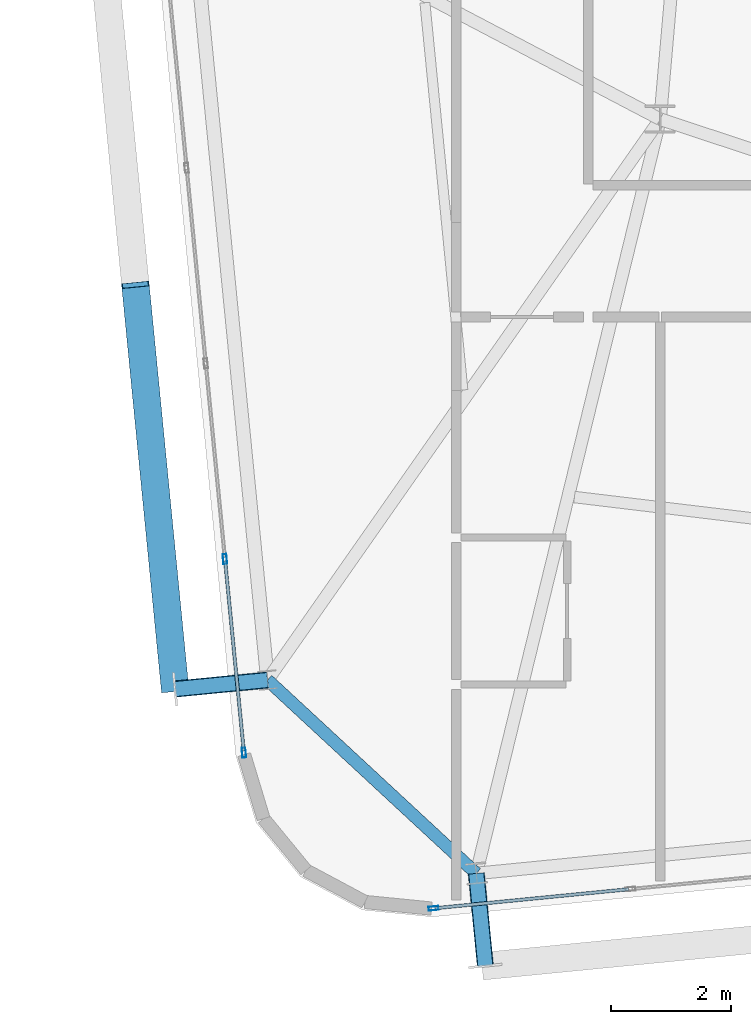
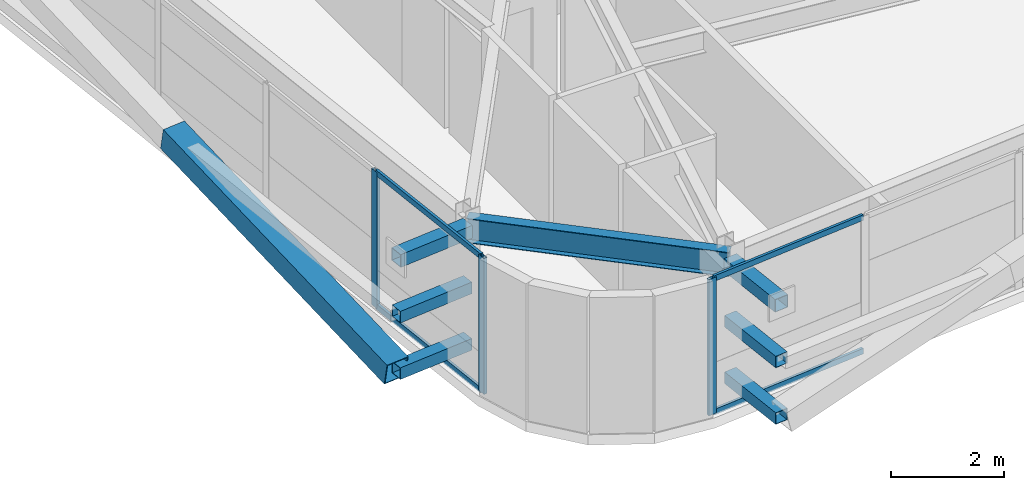
# One storey, part 5 of 52: 14 members, 1 beam, 2 elements without a shape of their own.
"""IFC4 building model written with IfcOpenShell, lengths in metres."""

from ifc_helpers import new_model, si_unit, direction, frame, origin, origin_2d, place, context, subcontext, project, spatial, hollow_rectangle, i_section, extrude, source, transform, mapped, material, layer, layer_set, material_profile, profile_set, type_object, element, aggregate, save


model = new_model("IFC4")

# Units and contexts
model_context = context("Model", 3, precision=1e-05, world=origin(), true_north=direction((0.0, 1.0)))
body_context = subcontext(model_context, "Body", "Model", "MODEL_VIEW")
ifc_project = project(units=[si_unit("LENGTHUNIT", "METRE"), si_unit("AREAUNIT", "SQUARE_METRE"), si_unit("VOLUMEUNIT", "CUBIC_METRE"), si_unit("PLANEANGLEUNIT", "RADIAN"), si_unit("MASSUNIT", "GRAM", prefix="KILO")], contexts=[model_context])

# Site, building, storey
site_placement = place(None, origin())
site = spatial("IfcSite", under=ifc_project, at=site_placement, CompositionType="ELEMENT")
building_placement = place(site_placement, origin())
building = spatial("IfcBuilding", under=site, at=building_placement, Name="Taldren Reach Tower", CompositionType="ELEMENT")
storey_placement = place(building_placement, frame((0.0, 0.0, 74.550048828125)))
storey = spatial("IfcBuildingStorey", under=building, at=storey_placement, Name="L22", CompositionType="ELEMENT", Elevation=74.550048828125)

# Beam
ifc_material_1 = material(Name="Steel Gr 350 (350PLUS)", Category="steel")
ifc_material_profile_1 = material_profile(ifc_material_1, i_section(OverallWidth=0.208984375, OverallDepth=0.528076171875, WebThickness=0.009521484375, FlangeThickness=0.01318359375, at=origin_2d()), Name="530UB82.0")
ifc_profile_set_1 = profile_set([ifc_material_profile_1], Name="Steel Gr 350 (350PLUS)")
beam_type = type_object("IfcBeamType", Name="SP-UB530B", PredefinedType="SPANDREL", material=ifc_profile_set_1)
shared_shape_1 = source(origin(), body_context, "Body", "SweptSolid", [
    extrude(i_section(OverallWidth=0.208984375, OverallDepth=0.528076171875, WebThickness=0.009521484375, FlangeThickness=0.01318359375, at=origin_2d()), origin(), (0.0, 0.0, 1.0), 4.745849609375),
])
beam_placement = place(storey_placement, frame((11.452880859375, 3.145751953125, 2.666015625), z_axis=(0.733524121458, -0.679663419083, 0.0), x_axis=(0.679663419083, 0.733524121458, 0.0)))
element("IfcBeam", 1, at=beam_placement, inside=storey, type_object=beam_type, Name="Perimeter spandrel B2 W1-S1 L22", PredefinedType="SPANDREL", context=body_context, shape_type="MappedRepresentation", body=[
    mapped(shared_shape_1, transform((0.0, 0.0, 0.0), scale=1.0)),
])

# Members
ifc_material_2 = material(Name="Steel Gr 450 (C450L0)", Category="steel")
ifc_material_profile_2 = material_profile(ifc_material_2, hollow_rectangle(XDim=0.27490234375, YDim=0.27490234375, WallThickness=0.00927734375, at=origin_2d()), Name="275x275x9.3SHS")
ifc_profile_set_2 = profile_set([ifc_material_profile_2], Name="Steel Gr 450 (C450L0)")
member_type_1 = type_object("IfcMemberType", Name="MB-TIE273", PredefinedType="STRUT", material=ifc_profile_set_2)
shared_shape_2 = source(origin(), body_context, "Body", "SweptSolid", [
    extrude(hollow_rectangle(XDim=0.27490234375, YDim=0.27490234375, WallThickness=0.00927734375, at=origin_2d()), origin(), (0.0, 0.0, 1.0), 1.550048828125),
])
for number, where, z_axis, x_axis, name in (
    (2, (14.93408203125, -0.079833984375, 2.64990234375), (0.097647892962, -0.9952210252, 0.0), (0.9952210252, 0.097647892962, 0.0), "Exoskeleton diaphragm tie strut B2-S1 L22"),
    (3, (11.452880859375, 3.145751953125, 2.64990234375), (-0.995236318924, -0.097491894511, 0.0), (0.097491894511, -0.995236318924, 0.0), "Exoskeleton diaphragm tie strut B2-W1 L22"),
):
    element("IfcMember", number, at=place(storey_placement, frame(where, z_axis=z_axis, x_axis=x_axis)), inside=storey, type_object=member_type_1, Name=name, PredefinedType="STRUT", context=body_context, shape_type="MappedRepresentation", body=[
        mapped(shared_shape_2, transform((0.0, 0.0, 0.0), scale=1.0)),
    ])
ifc_material_3 = material(Name="Steel Gr 350 (C350L0)", Category="steel")
ifc_material_profile_3 = material_profile(ifc_material_3, hollow_rectangle(XDim=0.25, YDim=0.25, WallThickness=0.010009765625, at=origin_2d()), Name="250x250x10.0SHS")
ifc_profile_set_3 = profile_set([ifc_material_profile_3], Name="Steel Gr 350 (C350L0)")
member_type_2 = type_object("IfcMemberType", Name="MB-POST250", PredefinedType="POST", material=ifc_profile_set_3)
shared_shape_3 = source(origin(), body_context, "Body", "SweptSolid", [
    extrude(hollow_rectangle(XDim=0.25, YDim=0.25, WallThickness=0.010009765625, at=origin_2d()), origin(), (0.0, 0.0, 1.0), 1.550048828125),
])
for number, where, z_axis, x_axis, name in (
    (4, (14.93408203125, -0.079833984375, 0.219970703125), (0.097647892962, -0.9952210252, 0.0), (0.9952210252, 0.097647892962, 0.0), "Exoskeleton base diaphragm tie strut B2-S1 L22"),
    (5, (11.452880859375, 3.145751953125, 0.219970703125), (-0.995236318924, -0.097491894511, 0.0), (0.097491894511, -0.995236318924, 0.0), "Exoskeleton base diaphragm tie strut B2-W1 L22"),
    (6, (14.93408203125, -0.079833984375, 1.43505859375), (0.097647892962, -0.9952210252, 0.0), (0.9952210252, 0.097647892962, 0.0), "Exoskeleton mid-tier diaphragm tie B2-S1 L22"),
    (7, (11.452880859375, 3.145751953125, 1.43505859375), (-0.995236318924, -0.097491894511, 0.0), (0.097491894511, -0.995236318924, 0.0), "Exoskeleton mid-tier diaphragm tie B2-W1 L22"),
):
    element("IfcMember", number, at=place(storey_placement, frame(where, z_axis=z_axis, x_axis=x_axis)), inside=storey, type_object=member_type_2, Name=name, PredefinedType="POST", context=body_context, shape_type="MappedRepresentation", body=[
        mapped(shared_shape_3, transform((0.0, 0.0, 0.0), scale=1.0)),
    ])
ifc_material_profile_4 = material_profile(ifc_material_2, hollow_rectangle(XDim=0.4599609375, YDim=0.4599609375, WallThickness=0.01611328125, at=origin_2d()), Name="460x460x16.0SHS")
ifc_profile_set_4 = profile_set([ifc_material_profile_4], Name="Steel Gr 450 (C450L0)")
member_type_3 = type_object("IfcMemberType", Name="MB-EXO457", PredefinedType="BRACE", material=ifc_profile_set_4)
shared_shape_4 = source(origin(), body_context, "Body", "SweptSolid", [
    extrude(hollow_rectangle(XDim=0.4599609375, YDim=0.4599609375, WallThickness=0.01611328125, at=origin_2d()), origin(), (0.0, 0.0, 1.0), 6.883056640625),
])
member_1_placement = place(storey_placement, frame((9.91015625, 2.99462890625, 0.219970703125), z_axis=(-0.09605145821, 0.97959718347, 0.176531797456), x_axis=(-0.995227290009, -0.097584021339, 0.0)))
element("IfcMember", 8, at=member_1_placement, inside=storey, type_object=member_type_3, Name="Exoskeleton Diagrid Brace B2-W1 L22", PredefinedType="BRACE", context=body_context, shape_type="MappedRepresentation", body=[
    mapped(shared_shape_4, transform((0.0, 0.0, 0.0), scale=1.0)),
])

# Curtain wall, member
ifc_material_4 = material(Name="Aluminium and Low-E Glass Unitised System", Category="aluminium")
ifc_layer = layer(ifc_material_4, 0.159912109375)
ifc_layer_set = layer_set([ifc_layer], Name="Aluminium and Low-E Glass Unitised System")
curtain_wall_type = type_object("IfcCurtainWallType", Name="CW-SYS-3", PredefinedType="NOTDEFINED", material=ifc_layer_set)
curtain_wall_1_placement = place(storey_placement, origin())
curtain_wall_1 = element("IfcCurtainWall", 9, at=curtain_wall_1_placement, inside=storey, type_object=curtain_wall_type, Name="Unitised curtain wall CW-L22-S", PredefinedType="NOTDEFINED")
ifc_material_5 = material(Name="Anodised Aluminium 6063-T6", Category="aluminium")
ifc_material_profile_5 = material_profile(ifc_material_5, hollow_rectangle(XDim=0.06494140625, YDim=0.1650390625, WallThickness=0.00390625, at=origin_2d()), Name="ALU-165x65x4RHS")
ifc_profile_set_5 = profile_set([ifc_material_profile_5], Name="Anodised Aluminium 6063-T6")
member_type_4 = type_object("IfcMemberType", Name="CW-MUL-165", PredefinedType="MULLION", material=ifc_profile_set_5)
shared_shape_5 = source(origin(), body_context, "Body", "SweptSolid", [
    extrude(hollow_rectangle(XDim=0.06494140625, YDim=0.1650390625, WallThickness=0.00390625, at=origin_2d()), origin(), (0.0, 0.0, 1.0), 2.929931640625),
])
member_2_placement = place(storey_placement, frame((14.22021484375, -0.662353515625, 0.0), z_axis=(0.0, 0.0, 1.0), x_axis=(-0.097582999046, 0.995227390247, 0.0)))
member_2 = element("IfcMember", 10, at=member_2_placement, type_object=member_type_4, Name="CW-3 mullion 1", PredefinedType="MULLION", context=body_context, shape_type="MappedRepresentation", body=[
    mapped(shared_shape_5, transform((0.0, 0.0, 0.0), scale=1.0)),
])

# Curtain wall, members
curtain_wall_2_placement = place(storey_placement, origin())
curtain_wall_2 = element("IfcCurtainWall", 11, at=curtain_wall_2_placement, inside=storey, type_object=curtain_wall_type, Name="Unitised curtain wall CW-L22-W", PredefinedType="NOTDEFINED")
member_3_placement = place(storey_placement, frame((10.742431640625, 5.163818359375, 0.0), z_axis=(0.0, 0.0, 1.0), x_axis=(0.99522741555, 0.09758274098, 0.0)))
member_3 = element("IfcMember", 12, at=member_3_placement, type_object=member_type_4, Name="CW-3 mullion 9", PredefinedType="MULLION", context=body_context, shape_type="MappedRepresentation", body=[
    mapped(shared_shape_5, transform((0.0, 0.0, 0.0), scale=1.0)),
])
member_4_placement = place(storey_placement, frame((11.05908203125, 1.93408203125, 0.0), z_axis=(0.0, 0.0, 1.0), x_axis=(0.99522741555, 0.09758274098, 0.0)))
member_4 = element("IfcMember", 13, at=member_4_placement, type_object=member_type_4, Name="CW-3 mullion 10", PredefinedType="MULLION", context=body_context, shape_type="MappedRepresentation", body=[
    mapped(shared_shape_5, transform((0.0, 0.0, 0.0), scale=1.0)),
])

# Member
ifc_material_profile_6 = material_profile(ifc_material_5, hollow_rectangle(XDim=0.054931640625, YDim=0.1201171875, WallThickness=0.0029296875, at=origin_2d()), Name="ALU-120x55x3RHS")
ifc_profile_set_6 = profile_set([ifc_material_profile_6], Name="Anodised Aluminium 6063-T6")
member_type_5 = type_object("IfcMemberType", Name="CW-TRN-135", PredefinedType="USERDEFINED", material=ifc_profile_set_6)
shared_shape_6 = source(origin(), body_context, "Body", "SweptSolid", [
    extrude(hollow_rectangle(XDim=0.054931640625, YDim=0.1201171875, WallThickness=0.0029296875, at=origin_2d()), origin(), (0.0, 0.0, 1.0), 3.23583984375),
])
member_5_placement = place(storey_placement, frame((14.25244140625, -0.6591796875, 0.02734375), z_axis=(0.995230248826, 0.097553840629, 0.0), x_axis=(-0.097553840629, 0.995230248826, 0.0)))
member_5 = element("IfcMember", 14, at=member_5_placement, type_object=member_type_5, Name="CW-3 transom 1.1", ObjectType="TRANSOM", PredefinedType="USERDEFINED", context=body_context, shape_type="MappedRepresentation", body=[
    mapped(shared_shape_6, transform((0.0, 0.0, 0.0), scale=1.0)),
])

member_6_placement = place(storey_placement, frame((14.25244140625, -0.6591796875, 2.90234375), z_axis=(0.995230248826, 0.097553840629, 0.0), x_axis=(-0.097553840629, 0.995230248826, 0.0)))
member_6 = element("IfcMember", 15, at=member_6_placement, type_object=member_type_5, Name="CW-3 transom 1.2", ObjectType="TRANSOM", PredefinedType="USERDEFINED", context=body_context, shape_type="MappedRepresentation", body=[
    mapped(shared_shape_6, transform((0.0, 0.0, 0.0), scale=1.0)),
])

aggregate(curtain_wall_1, [member_2, member_5, member_6])

shared_shape_7 = source(origin(), body_context, "Body", "SweptSolid", [
    extrude(hollow_rectangle(XDim=0.054931640625, YDim=0.1201171875, WallThickness=0.0029296875, at=origin_2d()), origin(), (0.0, 0.0, 1.0), 3.180419921875),
])
member_7_placement = place(storey_placement, frame((10.74560546875, 5.131591796875, 0.02734375), z_axis=(0.097565460739, -0.995229109738, 0.0), x_axis=(0.995229109738, 0.097565460739, 0.0)))
member_7 = element("IfcMember", 16, at=member_7_placement, type_object=member_type_5, Name="CW-3 transom 9.1", ObjectType="TRANSOM", PredefinedType="USERDEFINED", context=body_context, shape_type="MappedRepresentation", body=[
    mapped(shared_shape_7, transform((0.0, 0.0, 0.0), scale=1.0)),
])

member_8_placement = place(storey_placement, frame((10.74560546875, 5.131591796875, 2.90234375), z_axis=(0.097565460739, -0.995229109738, 0.0), x_axis=(0.995229109738, 0.097565460739, 0.0)))
member_8 = element("IfcMember", 17, at=member_8_placement, type_object=member_type_5, Name="CW-3 transom 9.2", ObjectType="TRANSOM", PredefinedType="USERDEFINED", context=body_context, shape_type="MappedRepresentation", body=[
    mapped(shared_shape_7, transform((0.0, 0.0, 0.0), scale=1.0)),
])

aggregate(curtain_wall_2, [member_3, member_4, member_7, member_8])

save(model, "model.ifc")
